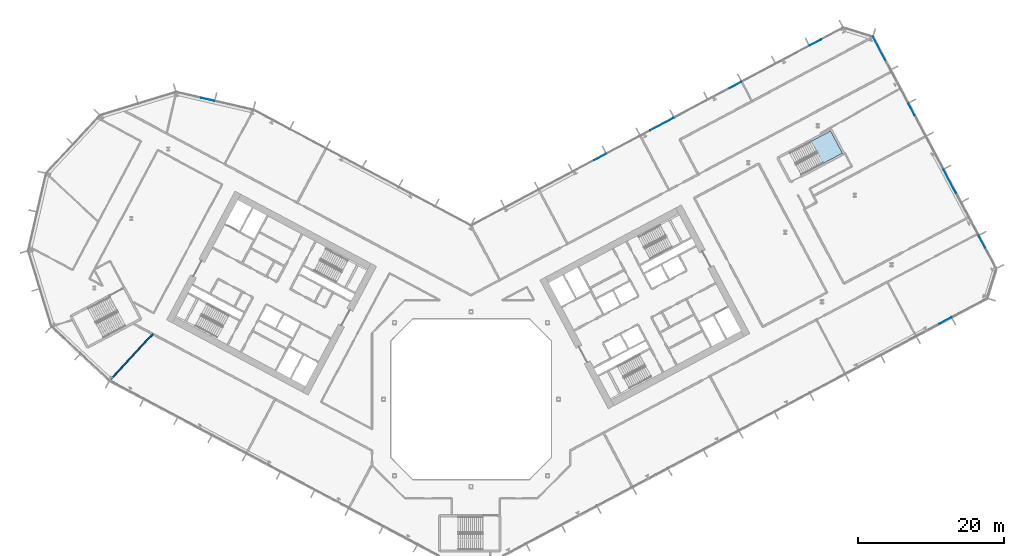
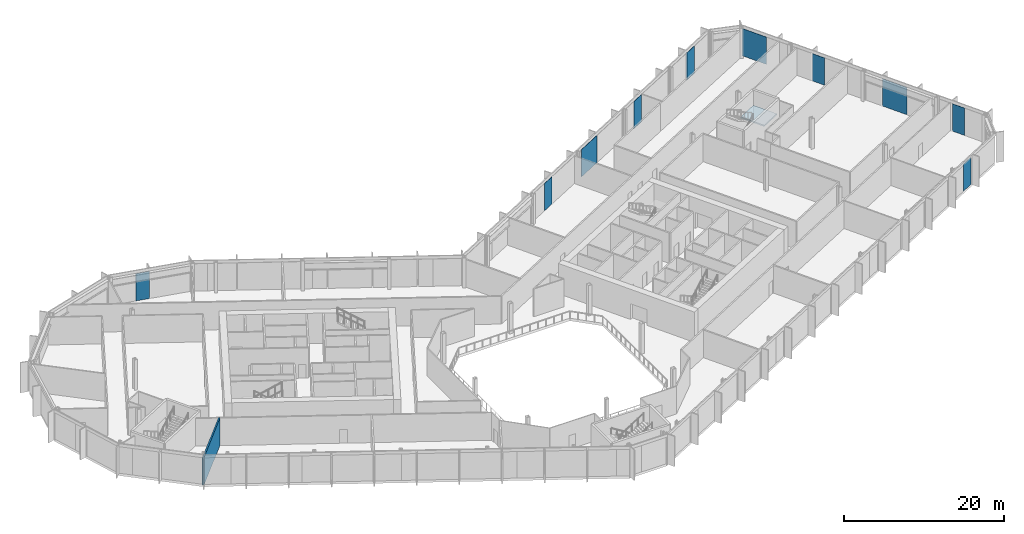
# One storey, part 13 of 31: 10 plates, 1 slab, 1 wall, 5 elements without a shape of their own.
"""IFC4 building model written with IfcOpenShell, lengths in metres."""

from ifc_helpers import new_model, si_unit, direction, frame, frame_2d, origin, origin_2d, place, context, subcontext, project, spatial, polyline, rectangle, outline, extrude, material, layer, layer_set, type_object, element, aggregate, save


model = new_model("IFC4")

# Units and contexts
model_context = context("Model", 3, precision=1e-05, world=origin(), true_north=direction((0.0, 1.0)))
body_context = subcontext(model_context, "Body", "Model", "MODEL_VIEW")
ifc_project = project(units=[si_unit("LENGTHUNIT", "METRE"), si_unit("AREAUNIT", "SQUARE_METRE"), si_unit("VOLUMEUNIT", "CUBIC_METRE"), si_unit("PLANEANGLEUNIT", "RADIAN"), si_unit("MASSUNIT", "GRAM", prefix="KILO")], contexts=[model_context])

# Site, building, storey
site_placement = place(None, origin())
site = spatial("IfcSite", under=ifc_project, at=site_placement, CompositionType="ELEMENT")
building_placement = place(site_placement, origin())
building = spatial("IfcBuilding", under=site, at=building_placement, Name="Cormorant Relay Tower", CompositionType="ELEMENT")
storey_placement = place(building_placement, frame((0.0, 0.0, 98.39990234375)))
storey = spatial("IfcBuildingStorey", under=building, at=storey_placement, Name="L19", CompositionType="ELEMENT", Elevation=98.39990234375)

# Curtain wall, plate
ifc_material_1 = material(Name="Aluminium 6063-T6 anodised bronze", Category="aluminium")
ifc_layer_1 = layer(ifc_material_1, 0.199951171875)
ifc_layer_set_1 = layer_set([ifc_layer_1], Name="CW1 unitised bronze curtain wall with vertical fins")
curtain_wall_type = type_object("IfcCurtainWallType", Name="CW1 unitised bronze curtain wall with vertical fins", PredefinedType="NOTDEFINED", material=ifc_layer_set_1)
curtain_wall_1_placement = place(storey_placement, origin())
curtain_wall_1 = element("IfcCurtainWall", 1, at=curtain_wall_1_placement, inside=storey, type_object=curtain_wall_type, Name="CW1 curtain wall 2", PredefinedType="NOTDEFINED")
ifc_material_2 = material(Name="Tinted laminated glass", Category="glass")
ifc_layer_2 = layer(ifc_material_2, 0.0400390625)
ifc_layer_set_2 = layer_set([ifc_layer_2], Name="CW1 tinted vision panel 1800 module")
plate_type_1 = type_object("IfcPlateType", Name="CW1 tinted vision panel 1800 module", PredefinedType="CURTAIN_PANEL", material=ifc_layer_set_2)
plate_1_placement = place(storey_placement, frame((65.064208984375, 10.78857421875, 0.000244140625), z_axis=(0.0, 0.0, 1.0), x_axis=(0.882947592859, 0.469471562786, 0.0)))
plate_1 = element("IfcPlate", 2, at=plate_1_placement, type_object=plate_type_1, Name="CW1 panel V12", PredefinedType="CURTAIN_PANEL", context=body_context, shape_type="SweptSolid", body=[
    extrude(rectangle(XDim=1.800048828125, YDim=0.0400390625, at=origin_2d()), origin(), (0.0, 0.0, 1.0), 4.14990234375),
])
aggregate(curtain_wall_1, [plate_1])

# Curtain wall, plates
curtain_wall_2_placement = place(storey_placement, origin())
curtain_wall_2 = element("IfcCurtainWall", 3, at=curtain_wall_2_placement, inside=storey, type_object=curtain_wall_type, Name="CW1 curtain wall 4", PredefinedType="NOTDEFINED")
plate_2_placement = place(storey_placement, frame((70.083740234375, 21.598388671875, 0.000244140625), z_axis=(0.0, 0.0, 1.0), x_axis=(-0.469471562786, 0.882947592859, 0.0)))
plate_2 = element("IfcPlate", 4, at=plate_2_placement, type_object=plate_type_1, Name="CW1 panel V01", PredefinedType="CURTAIN_PANEL", context=body_context, shape_type="SweptSolid", body=[
    extrude(rectangle(XDim=1.800048828125, YDim=0.0400390625, at=origin_2d()), origin(), (0.0, 0.0, 1.0), 4.14990234375),
])
plate_3_placement = place(storey_placement, frame((60.426025390625, 39.76171875, 0.000244140625), z_axis=(0.0, 0.0, 1.0), x_axis=(-0.469471562786, 0.882947592859, 0.0)))
plate_3 = element("IfcPlate", 5, at=plate_3_placement, type_object=plate_type_1, Name="CW1 panel V05", PredefinedType="CURTAIN_PANEL", context=body_context, shape_type="SweptSolid", body=[
    extrude(rectangle(XDim=1.800048828125, YDim=0.0400390625, at=origin_2d()), origin(), (0.0, 0.0, 1.0), 4.14990234375),
])

curtain_wall_3_placement = place(storey_placement, origin())
curtain_wall_3 = element("IfcCurtainWall", 6, at=curtain_wall_3_placement, inside=storey, type_object=curtain_wall_type, Name="CW1 curtain wall 6", PredefinedType="NOTDEFINED")
plate_4_placement = place(storey_placement, frame((47.273681640625, 48.9423828125, 0.000244140625), z_axis=(0.0, 0.0, 1.0), x_axis=(-0.882947592859, -0.469471562786, 0.0)))
plate_4 = element("IfcPlate", 7, at=plate_4_placement, type_object=plate_type_1, Name="CW1 panel V01", PredefinedType="CURTAIN_PANEL", context=body_context, shape_type="SweptSolid", body=[
    extrude(rectangle(XDim=1.800048828125, YDim=0.0400390625, at=origin_2d()), origin(), (0.0, 0.0, 1.0), 4.14990234375),
])
plate_5_placement = place(storey_placement, frame((36.267578125, 43.09033203125, 0.000244140625), z_axis=(0.0, 0.0, 1.0), x_axis=(-0.882947592859, -0.469471562786, 0.0)))
plate_5 = element("IfcPlate", 8, at=plate_5_placement, type_object=plate_type_1, Name="CW1 panel V03", PredefinedType="CURTAIN_PANEL", context=body_context, shape_type="SweptSolid", body=[
    extrude(rectangle(XDim=1.800048828125, YDim=0.0400390625, at=origin_2d()), origin(), (0.0, 0.0, 1.0), 4.14990234375),
])
plate_6_placement = place(storey_placement, frame((17.698486328125, 33.21728515625, 0.000244140625), z_axis=(0.0, 0.0, 1.0), x_axis=(-0.882947592859, -0.469471562786, 0.0)))
plate_6 = element("IfcPlate", 9, at=plate_6_placement, type_object=plate_type_1, Name="CW1 panel V07", PredefinedType="CURTAIN_PANEL", context=body_context, shape_type="SweptSolid", body=[
    extrude(rectangle(XDim=1.800048828125, YDim=0.0400390625, at=origin_2d()), origin(), (0.0, 0.0, 1.0), 4.14990234375),
])

# Curtain wall, plate
curtain_wall_4_placement = place(storey_placement, origin())
curtain_wall_4 = element("IfcCurtainWall", 10, at=curtain_wall_4_placement, inside=storey, type_object=curtain_wall_type, Name="CW1 curtain wall 8", PredefinedType="NOTDEFINED")
plate_7_placement = place(storey_placement, frame((-36.114990234375, 41.129638671875, 0.000244140625), z_axis=(0.0, 0.0, 1.0), x_axis=(-0.974370064785, 0.224951054344, 0.0)))
plate_7 = element("IfcPlate", 11, at=plate_7_placement, type_object=plate_type_1, Name="CW1 panel V01", PredefinedType="CURTAIN_PANEL", context=body_context, shape_type="SweptSolid", body=[
    extrude(rectangle(XDim=1.800048828125, YDim=0.0400390625, at=origin_2d()), origin(), (0.0, 0.0, 1.0), 4.14990234375),
])
aggregate(curtain_wall_4, [plate_7])

# Plate
ifc_material_3 = material(Name="Tinted laminated glass", Category="glass")
ifc_layer_3 = layer(ifc_material_3, 0.0400390625)
ifc_layer_set_3 = layer_set([ifc_layer_3], Name="CW1 tinted vision panel 3600 module")
plate_type_2 = type_object("IfcPlateType", Name="CW1 tinted vision panel 3600 module", PredefinedType="CURTAIN_PANEL", material=ifc_layer_set_3)
plate_8_placement = place(storey_placement, frame((65.677490234375, 29.885498046875, 0.000244140625), z_axis=(0.0, 0.0, 1.0), x_axis=(-0.469471562786, 0.882947592859, 0.0)))
plate_8 = element("IfcPlate", 12, at=plate_8_placement, type_object=plate_type_2, Name="CW1 panel V03", PredefinedType="CURTAIN_PANEL", context=body_context, shape_type="SweptSolid", body=[
    extrude(rectangle(XDim=3.60009765625, YDim=0.0400390625, at=origin_2d()), origin(), (0.0, 0.0, 1.0), 4.14990234375),
])

plate_9_placement = place(storey_placement, frame((55.984375, 48.114990234375, 0.000244140625), z_axis=(0.0, 0.0, 1.0), x_axis=(-0.469471562786, 0.882947592859, 0.0)))
plate_9 = element("IfcPlate", 13, at=plate_9_placement, type_object=plate_type_2, Name="CW1 panel V07", PredefinedType="CURTAIN_PANEL", context=body_context, shape_type="SweptSolid", body=[
    extrude(rectangle(XDim=3.60009765625, YDim=0.0400390625, at=origin_2d()), origin(), (0.0, 0.0, 1.0), 4.14990234375),
])

aggregate(curtain_wall_2, [plate_2, plate_8, plate_3, plate_9])

plate_10_placement = place(storey_placement, frame((26.1884765625, 37.731201171875, 0.000244140625), z_axis=(0.0, 0.0, 1.0), x_axis=(-0.882947592859, -0.469471562786, 0.0)))
plate_10 = element("IfcPlate", 14, at=plate_10_placement, type_object=plate_type_2, Name="CW1 panel V05", PredefinedType="CURTAIN_PANEL", context=body_context, shape_type="SweptSolid", body=[
    extrude(rectangle(XDim=3.60009765625, YDim=0.0400390625, at=origin_2d()), origin(), (0.0, 0.0, 1.0), 4.14990234375),
])

aggregate(curtain_wall_3, [plate_4, plate_5, plate_10, plate_6])

# Stair, slab
ifc_material_4 = material(Name="Concrete 40 MPa", Category="concrete")
stair_type = type_object("IfcStairType", Name="Exit stair 1500", PredefinedType="HALF_TURN_STAIR", material=ifc_material_4)
stair_placement = place(storey_placement, origin())
stair = element("IfcStair", 15, at=stair_placement, inside=storey, type_object=stair_type, Name="L19 Stair", PredefinedType="HALF_TURN_STAIR")
ifc_material_5 = material(Name="Concrete 40 MPa", Category="concrete")
ifc_layer_4 = layer(ifc_material_5, 0.199951171875)
ifc_layer_set_4 = layer_set([ifc_layer_4], Name="Exit stair landing 200")
slab_type = type_object("IfcSlabType", Name="Exit stair landing 200", PredefinedType="LANDING", material=ifc_layer_set_4)
slab_placement = place(storey_placement, frame((0.0, 0.0, 2.10009765625)))
slab = element("IfcSlab", 16, at=slab_placement, type_object=slab_type, Name="RB1 landing 1", PredefinedType="LANDING", context=body_context, shape_type="SweptSolid", body=[
    extrude(outline(polyline([(48.301513671875, 32.35107421875), (50.941650390625, 33.7548828125), (49.322021484375, 36.801025390625), (46.681884765625, 35.397216796875), (48.301513671875, 32.35107421875)])), origin(), (0.0, 0.0, 1.0), 0.199951171875),
])
aggregate(stair, [slab])

# Wall
ifc_material_6 = material(Name="Fire-rated gypsum board partition")
ifc_layer_5 = layer(ifc_material_6, 0.199951171875)
ifc_layer_set_5 = layer_set([ifc_layer_5], Name="Fire-rated gypsum partition 200")
wall_type = type_object("IfcWallType", Name="Fire-rated gypsum partition 200", PredefinedType="PARTITIONING", material=ifc_layer_set_5)
wall_placement = place(storey_placement, frame((-43.660888671875, 8.944091796875, 0.0), z_axis=(0.0, 0.0, 1.0), x_axis=(-0.682024103878, -0.731329694276, 0.0)))
element("IfcWall", 17, at=wall_placement, inside=storey, type_object=wall_type, Name="wall/L19/part/6", PredefinedType="PARTITIONING", context=body_context, shape_type="SweptSolid", body=[
    extrude(rectangle(XDim=8.90283203125, YDim=0.199951171875, at=frame_2d((4.451416015625, 0.0))), origin(), (0.0, 0.0, 1.0), 4.2001953125),
])

save(model, "model.ifc")
